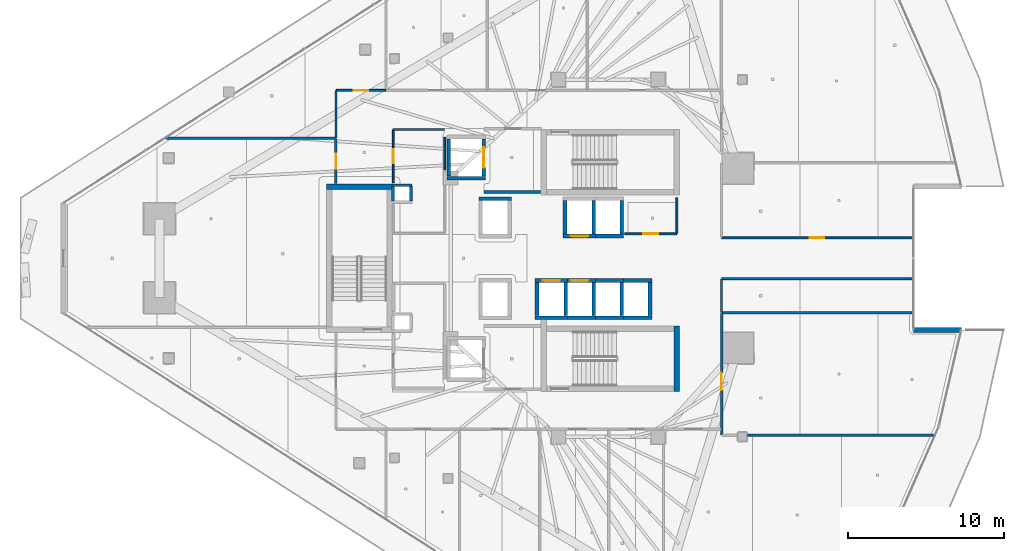
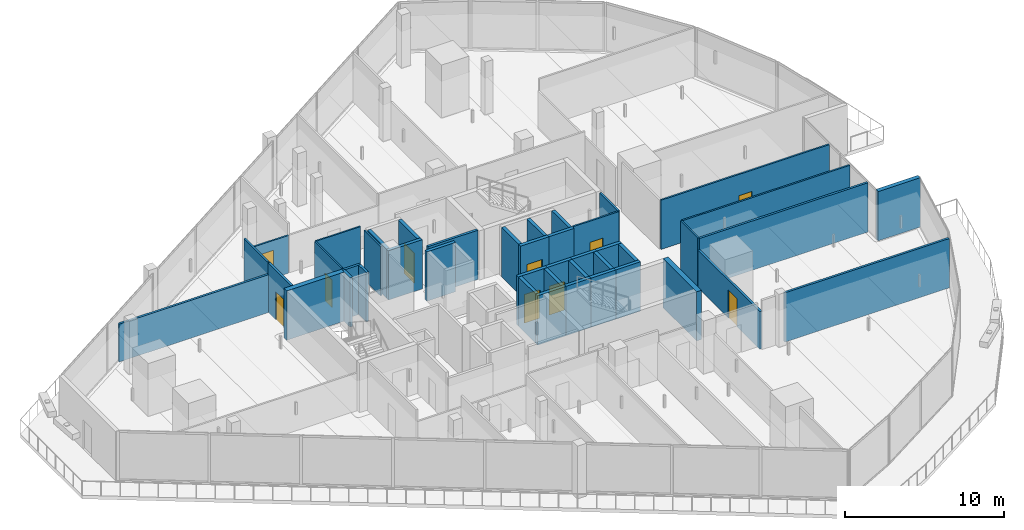
# One storey, part 26 of 37: 44 walls, 10 doors, 10 openings.
"""IFC4 building model written with IfcOpenShell, lengths in metres."""

from ifc_helpers import new_model, si_unit, direction, frame, frame_2d, origin, place, context, subcontext, project, spatial, rectangle, extrude, material, layer, layer_set, type_object, element, fill, save


model = new_model("IFC4")

# Units and contexts
model_context = context("Model", 3, precision=1e-05, world=origin(), true_north=direction((0.0, 1.0)))
body_context = subcontext(model_context, "Body", "Model", "MODEL_VIEW")
ifc_project = project(units=[si_unit("LENGTHUNIT", "METRE"), si_unit("AREAUNIT", "SQUARE_METRE"), si_unit("VOLUMEUNIT", "CUBIC_METRE"), si_unit("PLANEANGLEUNIT", "RADIAN"), si_unit("MASSUNIT", "GRAM", prefix="KILO")], contexts=[model_context])

# Site, building, storey
site_placement = place(None, origin())
site = spatial("IfcSite", under=ifc_project, at=site_placement, CompositionType="ELEMENT")
building_placement = place(site_placement, origin())
building = spatial("IfcBuilding", under=site, at=building_placement, Name="Qorvath Tower", CompositionType="ELEMENT")
storey_placement = place(building_placement, frame((0.0, 0.0, 184.800048828125)))
storey = spatial("IfcBuildingStorey", under=building, at=storey_placement, Name="L42", CompositionType="ELEMENT", Elevation=184.800048828125)

# Walls
ifc_material_1 = material(Name="Gypsum shaftliner on steel studs", Category="steel")
ifc_layer_1 = layer(ifc_material_1, 0.179931640625)
ifc_layer_set_1 = layer_set([ifc_layer_1], Name="FW-LOBBY")
wall_type_1 = type_object("IfcWallType", Name="FW-LOBBY", PredefinedType="PARTITIONING", material=ifc_layer_set_1)
wall_1_placement = place(storey_placement, frame((-34.260009765625, 4.675048828125, 0.0), z_axis=(0.0, 0.0, 1.0), x_axis=(1.0, 0.0, 0.0)))
element("IfcWall", 1, at=wall_1_placement, inside=storey, type_object=wall_type_1, Name="MEP Riser Shaft Enclosure Wall N-L42-N", PredefinedType="PARTITIONING", context=body_context, shape_type="SweptSolid", body=[
    extrude(rectangle(XDim=1.27001953125, YDim=0.179931640625, at=frame_2d((0.635009765625, 0.0))), origin(), (0.0, 0.0, 1.0), 3.780029296875),
])
for number, where, z_axis, x_axis, name in (
    (2, (-34.205078125, 3.659912109375, 0.0), (0.0, 0.0, 1.0), (0.0, 1.0, 0.0), "MEP Riser Shaft Enclosure Wall N-L42-W"),
    (3, (-33.044921875, 4.610107421875, 0.0), (0.0, 0.0, 1.0), (0.0, -1.0, 0.0), "MEP Riser Shaft Enclosure Wall N-L42-E"),
):
    element("IfcWall", number, at=place(storey_placement, frame(where, z_axis=z_axis, x_axis=x_axis)), inside=storey, type_object=wall_type_1, Name=name, PredefinedType="PARTITIONING", context=body_context, shape_type="SweptSolid", body=[
        extrude(rectangle(XDim=0.9501953125, YDim=0.179931640625, at=frame_2d((0.47509765625, 0.0))), origin(), (0.0, 0.0, 1.0), 3.780029296875),
    ])
wall_2_placement = place(storey_placement, frame((-28.35498046875, 4.25, 0.0), z_axis=(0.0, 0.0, 1.0), x_axis=(1.0, 0.0, 0.0)))
element("IfcWall", 4, at=wall_2_placement, inside=storey, type_object=wall_type_1, Name="Interior Partition IW-T1-L42-001", PredefinedType="PARTITIONING", context=body_context, shape_type="SweptSolid", body=[
    extrude(rectangle(XDim=3.6220703125, YDim=0.179931640625, at=frame_2d((1.81103515625, 0.0))), origin(), (0.0, 0.0, 1.0), 3.780029296875),
])
ifc_material_2 = material(Name="Double acoustic gypsum board on steel studs", Category="steel")
ifc_layer_2 = layer(ifc_material_2, 0.159912109375)
ifc_layer_set_2 = layer_set([ifc_layer_2], Name="IW-ACOUSTIC-160")
wall_type_2 = type_object("IfcWallType", Name="IW-ACOUSTIC-160", PredefinedType="PARTITIONING", material=ifc_layer_set_2)
wall_3_placement = place(storey_placement, frame((0.459716796875, -11.3583984375, 0.0), z_axis=(0.0, 0.0, 1.0), x_axis=(-0.999999924277, 0.000389160817, 0.0)))
element("IfcWall", 5, at=wall_3_placement, inside=storey, type_object=wall_type_2, Name="Interior Partition IW-T1-L42-038", PredefinedType="PARTITIONING", context=body_context, shape_type="SweptSolid", body=[
    extrude(rectangle(XDim=11.919677734375, YDim=0.159912109375, at=frame_2d((5.9599609375, 0.0))), origin(), (0.0, 0.0, 1.0), 3.780029296875),
])
wall_4_placement = place(storey_placement, frame((-0.918212890625, -3.509765625, 0.0), z_axis=(0.0, 0.0, 1.0), x_axis=(-1.0, 0.0, 0.0)))
element("IfcWall", 6, at=wall_4_placement, inside=storey, type_object=wall_type_2, Name="Interior Partition IW-T1-L42-041", PredefinedType="PARTITIONING", context=body_context, shape_type="SweptSolid", body=[
    extrude(rectangle(XDim=12.198974609375, YDim=0.159912109375, at=frame_2d((6.099609375, 0.0))), origin(), (0.0, 0.0, 1.0), 3.780029296875),
])

# Wall, opening, door
wall_5_placement = place(storey_placement, frame((-13.14208984375, -3.534912109375, 0.0), z_axis=(0.0, 0.0, 1.0), x_axis=(0.0, -1.0, 0.0)))
wall_5 = element("IfcWall", 7, at=wall_5_placement, inside=storey, type_object=wall_type_2, Name="Interior Partition IW-T1-L42-042", PredefinedType="PARTITIONING", context=body_context, shape_type="SweptSolid", body=[
    extrude(rectangle(XDim=7.785888671875, YDim=0.159912109375, at=frame_2d((3.89306640625, 0.0))), origin(), (0.0, 0.0, 1.0), 2.89990234375),
])
opening_1_placement = place(wall_5_placement, frame((3.820556640625, 0.0, 0.0)))
opening_1 = element("IfcOpeningElement", 8, at=opening_1_placement, cuts=wall_5, Name="Opening D-T1-L42-12", PredefinedType="OPENING", context=body_context, shape_type="SweptSolid", body=[
    extrude(rectangle(XDim=1.10009765625, YDim=2.14990234375, at=frame_2d((0.550048828125, 1.074951171875))), frame((0.0, 0.08984375, 0.0), z_axis=(0.0, -1.0, 0.0), x_axis=(1.0, 0.0, 0.0)), (0.0, 0.0, 1.0), 0.179931640625),
])
ifc_material_3 = material(Name="Anodised aluminium acoustic framed glass", Category="aluminium")
door_type_1 = type_object("IfcDoorType", Name="D-03", OperationType="NOTDEFINED", PredefinedType="DOOR", material=ifc_material_3)
door_1_placement = place(opening_1_placement, origin())
door_1 = element("IfcDoor", 9, at=door_1_placement, inside=storey, type_object=door_type_1, Name="L42-09 Enclosed Conference Suite Door D-T1-L42-12", OperationType="SINGLE_SWING_LEFT", OverallHeight=2.14990234375, OverallWidth=1.10009765625, PredefinedType="DOOR", context=body_context, shape_type="SweptSolid", body=[
    extrude(rectangle(XDim=1.10009765625, YDim=2.14990234375, at=frame_2d((0.550048828125, 1.074951171875))), frame((0.0, 0.02490234375, 0.0), z_axis=(0.0, -1.0, 0.0), x_axis=(1.0, 0.0, 0.0)), (0.0, 0.0, 1.0), 0.050048828125),
])
fill(opening_1, door_1)

wall_6_placement = place(storey_placement, frame((-37.85791015625, 4.783203125, 0.0), z_axis=(0.0, 0.0, 1.0), x_axis=(0.0, 1.0, 0.0)))
wall_6 = element("IfcWall", 10, at=wall_6_placement, inside=storey, type_object=wall_type_2, Name="Interior Partition IW-T1-L42-052", PredefinedType="PARTITIONING", context=body_context, shape_type="SweptSolid", body=[
    extrude(rectangle(XDim=2.8720703125, YDim=0.159912109375, at=frame_2d((1.43603515625, 0.0))), origin(), (0.0, 0.0, 1.0), 3.780029296875),
])
opening_2_placement = place(wall_6_placement, frame((0.9609375, 0.0, 0.0)))
opening_2 = element("IfcOpeningElement", 11, at=opening_2_placement, cuts=wall_6, Name="Opening D-T1-L42-16", PredefinedType="OPENING", context=body_context, shape_type="SweptSolid", body=[
    extrude(rectangle(XDim=0.949951171875, YDim=2.14990234375, at=frame_2d((0.47509765625, 1.074951171875))), frame((0.0, 0.08984375, 0.0), z_axis=(0.0, -1.0, 0.0), x_axis=(1.0, 0.0, 0.0)), (0.0, 0.0, 1.0), 0.179931640625),
])
ifc_material_4 = material(Name="Solid-core American white oak veneer", Category="wood")
door_type_2 = type_object("IfcDoorType", Name="D-01", OperationType="NOTDEFINED", PredefinedType="DOOR", material=ifc_material_4)
door_2_placement = place(opening_2_placement, origin())
door_2 = element("IfcDoor", 12, at=door_2_placement, inside=storey, type_object=door_type_2, Name="L42-13 Staff Wellness Studio Door D-T1-L42-16", OperationType="SINGLE_SWING_LEFT", OverallHeight=2.14990234375, OverallWidth=0.949951171875, PredefinedType="DOOR", context=body_context, shape_type="SweptSolid", body=[
    extrude(rectangle(XDim=0.949951171875, YDim=2.14990234375, at=frame_2d((0.47509765625, 1.074951171875))), frame((0.0, 0.02490234375, 0.0), z_axis=(0.0, -1.0, 0.0), x_axis=(1.0, 0.0, 0.0)), (0.0, 0.0, 1.0), 0.050048828125),
])
fill(opening_2, door_2)

# Wall
wall_7_placement = place(storey_placement, frame((-37.8828125, 7.68017578125, 0.0), z_axis=(0.0, 0.0, 1.0), x_axis=(-1.0, 0.0, 0.0)))
element("IfcWall", 13, at=wall_7_placement, inside=storey, type_object=wall_type_2, Name="Interior Partition IW-T1-L42-053", PredefinedType="PARTITIONING", context=body_context, shape_type="SweptSolid", body=[
    extrude(rectangle(XDim=10.886474609375, YDim=0.159912109375, at=frame_2d((5.443359375, 0.0))), origin(), (0.0, 0.0, 1.0), 2.89990234375),
])

# Wall, opening, door
ifc_material_5 = material(Name="Gypsum board on metal studs with mineral wool", Category="gypsum")
ifc_layer_3 = layer(ifc_material_5, 0.125)
ifc_layer_set_3 = layer_set([ifc_layer_3], Name="IW-PART-125")
wall_type_3 = type_object("IfcWallType", Name="IW-PART-125", PredefinedType="PARTITIONING", material=ifc_layer_set_3)
wall_8_placement = place(storey_placement, frame((-19.333740234375, 1.56005859375, 0.0), z_axis=(0.0, 0.0, 1.0), x_axis=(1.0, 0.0, 0.0)))
wall_8 = element("IfcWall", 14, at=wall_8_placement, inside=storey, type_object=wall_type_3, Name="Interior Partition IW-T1-L42-011", PredefinedType="PARTITIONING", context=body_context, shape_type="SweptSolid", body=[
    extrude(rectangle(XDim=3.308837890625, YDim=0.125, at=frame_2d((1.654296875, 0.0))), origin(), (0.0, 0.0, 1.0), 3.780029296875),
])
opening_3_placement = place(wall_8_placement, frame((1.179443359375, 0.0, 0.0)))
opening_3 = element("IfcOpeningElement", 15, at=opening_3_placement, cuts=wall_8, Name="Opening D-T1-L42-02", PredefinedType="OPENING", context=body_context, shape_type="SweptSolid", body=[
    extrude(rectangle(XDim=0.949951171875, YDim=2.14990234375, at=frame_2d((0.47509765625, 1.074951171875))), frame((0.0, 0.072509765625, 0.0), z_axis=(0.0, -1.0, 0.0), x_axis=(1.0, 0.0, 0.0)), (0.0, 0.0, 1.0), 0.14501953125),
])
door_3_placement = place(opening_3_placement, origin())
door_3 = element("IfcDoor", 16, at=door_3_placement, inside=storey, type_object=door_type_2, Name="L42-RCN North Staff Refreshment Pantry Door D-T1-L42-02", OperationType="SINGLE_SWING_LEFT", OverallHeight=2.14990234375, OverallWidth=0.949951171875, PredefinedType="DOOR", context=body_context, shape_type="SweptSolid", body=[
    extrude(rectangle(XDim=0.949951171875, YDim=2.14990234375, at=frame_2d((0.47509765625, 1.074951171875))), frame((0.0, 0.02490234375, 0.0), z_axis=(0.0, -1.0, 0.0), x_axis=(1.0, 0.0, 0.0)), (0.0, 0.0, 1.0), 0.050048828125),
])
fill(opening_3, door_3)

# Wall
wall_9_placement = place(storey_placement, frame((-16.0, 1.585205078125, 0.0), z_axis=(0.0, 0.0, 1.0), x_axis=(0.0, 1.0, 0.0)))
element("IfcWall", 17, at=wall_9_placement, inside=storey, type_object=wall_type_3, Name="Interior Partition IW-T1-L42-012", PredefinedType="PARTITIONING", context=body_context, shape_type="SweptSolid", body=[
    extrude(rectangle(XDim=2.30224609375, YDim=0.125, at=frame_2d((1.151123046875, 0.0))), origin(), (0.0, 0.0, 1.0), 3.780029296875),
])

# Wall, opening, door
wall_10_placement = place(storey_placement, frame((-13.1171875, 1.30810546875, 0.0), z_axis=(0.0, 0.0, 1.0), x_axis=(1.0, 0.0, 0.0)))
wall_10 = element("IfcWall", 18, at=wall_10_placement, inside=storey, type_object=wall_type_3, Name="Interior Partition IW-T1-L42-045", PredefinedType="PARTITIONING", context=body_context, shape_type="SweptSolid", body=[
    extrude(rectangle(XDim=12.198974609375, YDim=0.125, at=frame_2d((6.099609375, 0.0))), origin(), (0.0, 0.0, 1.0), 3.780029296875),
])
opening_4_placement = place(wall_10_placement, frame((5.62451171875, 0.0, 0.0)))
opening_4 = element("IfcOpeningElement", 19, at=opening_4_placement, cuts=wall_10, Name="Opening D-T1-L42-13", PredefinedType="OPENING", context=body_context, shape_type="SweptSolid", body=[
    extrude(rectangle(XDim=0.949951171875, YDim=2.14990234375, at=frame_2d((0.47509765625, 1.074951171875))), frame((0.0, 0.072509765625, 0.0), z_axis=(0.0, -1.0, 0.0), x_axis=(1.0, 0.0, 0.0)), (0.0, 0.0, 1.0), 0.14501953125),
])
door_4_placement = place(opening_4_placement, origin())
door_4 = element("IfcDoor", 20, at=door_4_placement, inside=storey, type_object=door_type_2, Name="L42-10 Focus Collaboration Pod Door D-T1-L42-13", OperationType="SINGLE_SWING_RIGHT", OverallHeight=2.14990234375, OverallWidth=0.949951171875, PredefinedType="DOOR", context=body_context, shape_type="SweptSolid", body=[
    extrude(rectangle(XDim=0.949951171875, YDim=2.14990234375, at=frame_2d((0.47509765625, 1.074951171875))), frame((0.0, 0.02490234375, 0.0), z_axis=(0.0, -1.0, 0.0), x_axis=(1.0, 0.0, 0.0)), (0.0, 0.0, 1.0), 0.050048828125),
])
fill(opening_4, door_4)

# Walls
wall_11_placement = place(storey_placement, frame((-13.1171875, -1.30810546875, 0.0), z_axis=(0.0, 0.0, 1.0), x_axis=(1.0, 0.0, 0.0)))
element("IfcWall", 21, at=wall_11_placement, inside=storey, type_object=wall_type_3, Name="Interior Partition IW-T1-L42-046", PredefinedType="PARTITIONING", context=body_context, shape_type="SweptSolid", body=[
    extrude(rectangle(XDim=12.198974609375, YDim=0.125, at=frame_2d((6.099609375, 0.0))), origin(), (0.0, 0.0, 1.0), 3.780029296875),
])
wall_12_placement = place(storey_placement, frame((-13.14208984375, -1.3330078125, 0.0), z_axis=(0.0, 0.0, 1.0), x_axis=(0.0, -1.0, 0.0)))
element("IfcWall", 22, at=wall_12_placement, inside=storey, type_object=wall_type_3, Name="Interior Partition IW-T1-L42-047", PredefinedType="PARTITIONING", context=body_context, shape_type="SweptSolid", body=[
    extrude(rectangle(XDim=2.14404296875, YDim=0.125, at=frame_2d((1.072021484375, 0.0))), origin(), (0.0, 0.0, 1.0), 3.780029296875),
])
wall_13_placement = place(storey_placement, frame((-37.85791015625, 7.713134765625, 0.0), z_axis=(0.0, 0.0, 1.0), x_axis=(0.0, 1.0, 0.0)))
element("IfcWall", 23, at=wall_13_placement, inside=storey, type_object=wall_type_3, Name="Interior Partition IW-T1-L42-054", PredefinedType="PARTITIONING", context=body_context, shape_type="SweptSolid", body=[
    extrude(rectangle(XDim=3.02001953125, YDim=0.125, at=frame_2d((1.510009765625, 0.0))), origin(), (0.0, 0.0, 1.0), 3.780029296875),
])

# Wall, opening, door
wall_14_placement = place(storey_placement, frame((-37.8330078125, 10.758056640625, 0.0), z_axis=(0.0, 0.0, 1.0), x_axis=(1.0, 0.0, 0.0)))
wall_14 = element("IfcWall", 24, at=wall_14_placement, inside=storey, type_object=wall_type_3, Name="Interior Partition IW-T1-L42-055", PredefinedType="PARTITIONING", context=body_context, shape_type="SweptSolid", body=[
    extrude(rectangle(XDim=3.14990234375, YDim=0.125, at=frame_2d((1.574951171875, 0.0))), origin(), (0.0, 0.0, 1.0), 2.89990234375),
])
opening_5_placement = place(wall_14_placement, frame((1.099853515625, 0.0, 0.0)))
opening_5 = element("IfcOpeningElement", 25, at=opening_5_placement, cuts=wall_14, Name="Opening D-T1-L42-17", PredefinedType="OPENING", context=body_context, shape_type="SweptSolid", body=[
    extrude(rectangle(XDim=0.949951171875, YDim=2.14990234375, at=frame_2d((0.47509765625, 1.074951171875))), frame((0.0, 0.072509765625, 0.0), z_axis=(0.0, -1.0, 0.0), x_axis=(1.0, 0.0, 0.0)), (0.0, 0.0, 1.0), 0.14501953125),
])
door_5_placement = place(opening_5_placement, origin())
door_5 = element("IfcDoor", 26, at=door_5_placement, inside=storey, type_object=door_type_2, Name="L42-14 Design Pin-Up Atelier Door D-T1-L42-17", OperationType="SINGLE_SWING_RIGHT", OverallHeight=2.14990234375, OverallWidth=0.949951171875, PredefinedType="DOOR", context=body_context, shape_type="SweptSolid", body=[
    extrude(rectangle(XDim=0.949951171875, YDim=2.14990234375, at=frame_2d((0.47509765625, 1.074951171875))), frame((0.0, 0.02490234375, 0.0), z_axis=(0.0, -1.0, 0.0), x_axis=(1.0, 0.0, 0.0)), (0.0, 0.0, 1.0), 0.050048828125),
])
fill(opening_5, door_5)

# Walls
ifc_material_6 = material(Name="Moisture-resistant cement board on metal studs", Category="gypsum")
ifc_layer_4 = layer(ifc_material_6, 0.110107421875)
ifc_layer_set_4 = layer_set([ifc_layer_4], Name="IW-WC-110")
wall_type_4 = type_object("IfcWallType", Name="IW-WC-110", PredefinedType="PARTITIONING", material=ifc_layer_set_4)
wall_15_placement = place(storey_placement, frame((-30.8798828125, 5.6650390625, 0.0), z_axis=(0.0, 0.0, 1.0), x_axis=(0.0, 1.0, 0.0)))
element("IfcWall", 27, at=wall_15_placement, inside=storey, type_object=wall_type_4, Name="Interior Partition IW-T1-L42-007", PredefinedType="PARTITIONING", context=body_context, shape_type="SweptSolid", body=[
    extrude(rectangle(XDim=2.077880859375, YDim=0.110107421875, at=frame_2d((1.0390625, 0.0))), origin(), (0.0, 0.0, 1.0), 3.780029296875),
])
wall_16_placement = place(storey_placement, frame((-30.90478515625, 8.25, 0.0), z_axis=(0.0, 0.0, 1.0), x_axis=(-1.0, 0.0, 0.0)))
element("IfcWall", 28, at=wall_16_placement, inside=storey, type_object=wall_type_4, Name="Interior Partition IW-T1-L42-008", PredefinedType="PARTITIONING", context=body_context, shape_type="SweptSolid", body=[
    extrude(rectangle(XDim=3.25, YDim=0.110107421875, at=frame_2d((1.625, 0.0))), origin(), (0.0, 0.0, 1.0), 3.780029296875),
])

# Wall, opening, door
wall_17_placement = place(storey_placement, frame((-34.179931640625, 8.22509765625, 0.0), z_axis=(0.0, 0.0, 1.0), x_axis=(0.0, -1.0, 0.0)))
wall_17 = element("IfcWall", 29, at=wall_17_placement, inside=storey, type_object=wall_type_4, Name="Interior Partition IW-T1-L42-009", PredefinedType="PARTITIONING", context=body_context, shape_type="SweptSolid", body=[
    extrude(rectangle(XDim=3.385009765625, YDim=0.110107421875, at=frame_2d((1.6923828125, 0.0))), origin(), (0.0, 0.0, 1.0), 3.780029296875),
])
opening_6_placement = place(wall_17_placement, frame((1.25244140625, 0.0, 0.0)))
opening_6 = element("IfcOpeningElement", 30, at=opening_6_placement, cuts=wall_17, Name="Opening D-T1-L42-01", PredefinedType="OPENING", context=body_context, shape_type="SweptSolid", body=[
    extrude(rectangle(XDim=0.8798828125, YDim=2.10009765625, at=frame_2d((0.43994140625, 1.050048828125))), frame((0.0, 0.06494140625, 0.0), z_axis=(0.0, -1.0, 0.0), x_axis=(1.0, 0.0, 0.0)), (0.0, 0.0, 1.0), 0.130126953125),
])
ifc_material_7 = material(Name="Solid-core oak with acoustic drop seal", Category="wood")
door_type_3 = type_object("IfcDoorType", Name="D-02", OperationType="NOTDEFINED", PredefinedType="DOOR", material=ifc_material_7)
door_6_placement = place(opening_6_placement, origin())
door_6 = element("IfcDoor", 31, at=door_6_placement, inside=storey, type_object=door_type_3, Name="Accessible WC North L42 Door D-T1-L42-01", OperationType="SINGLE_SWING_RIGHT", OverallHeight=2.10009765625, OverallWidth=0.8798828125, PredefinedType="DOOR", context=body_context, shape_type="SweptSolid", body=[
    extrude(rectangle(XDim=0.8798828125, YDim=2.10009765625, at=frame_2d((0.43994140625, 1.050048828125))), frame((0.0, 0.02490234375, 0.0), z_axis=(0.0, -1.0, 0.0), x_axis=(1.0, 0.0, 0.0)), (0.0, 0.0, 1.0), 0.050048828125),
])
fill(opening_6, door_6)

# Walls
ifc_material_8 = material(Name="Concrete C60/75", Category="concrete")
ifc_layer_5 = layer(ifc_material_8, 0.260009765625)
ifc_layer_set_5 = layer_set([ifc_layer_5], Name="SW-SHAFT")
wall_type_5 = type_object("IfcWallType", Name="SW-SHAFT", PredefinedType="SHEAR", material=ifc_layer_set_5)
wall_18_placement = place(storey_placement, frame((-28.260009765625, 5.1298828125, 0.0), z_axis=(0.0, 0.0, 1.0), x_axis=(-1.0, 0.0, 0.0)))
element("IfcWall", 32, at=wall_18_placement, inside=storey, type_object=wall_type_5, Name="Hoistway Wall FSAE-1 L42 S", PredefinedType="SHEAR", context=body_context, shape_type="SweptSolid", body=[
    extrude(rectangle(XDim=2.47998046875, YDim=0.239990234375, at=frame_2d((1.239990234375, 0.0))), origin(), (0.0, 0.0, 1.0), 3.780029296875),
])
wall_19_placement = place(storey_placement, frame((-30.6201171875, 5.261962890625, 0.0), z_axis=(0.0, 0.0, 1.0), x_axis=(0.0, 1.0, 0.0)))
element("IfcWall", 33, at=wall_19_placement, inside=storey, type_object=wall_type_5, Name="Hoistway Wall FSAE-1 L42 W", PredefinedType="SHEAR", context=body_context, shape_type="SweptSolid", body=[
    extrude(rectangle(XDim=2.3759765625, YDim=0.239990234375, at=frame_2d((1.18798828125, 0.0))), origin(), (0.0, 0.0, 1.0), 3.780029296875),
])

# Wall, opening, door
wall_20_placement = place(storey_placement, frame((-28.3798828125, 7.637939453125, 0.0), z_axis=(0.0, 0.0, 1.0), x_axis=(0.0, -1.0, 0.0)))
wall_20 = element("IfcWall", 34, at=wall_20_placement, inside=storey, type_object=wall_type_5, Name="Hoistway Wall FSAE-1 L42 E", PredefinedType="SHEAR", context=body_context, shape_type="SweptSolid", body=[
    extrude(rectangle(XDim=2.3759765625, YDim=0.239990234375, at=frame_2d((1.18798828125, 0.0))), origin(), (0.0, 0.0, 1.0), 3.780029296875),
])
opening_7_placement = place(wall_20_placement, frame((0.537841796875, 0.0, 0.0)))
opening_7 = element("IfcOpeningElement", 35, at=opening_7_placement, cuts=wall_20, Name="Opening LD-FSAE-1-L42", PredefinedType="OPENING", context=body_context, shape_type="SweptSolid", body=[
    extrude(rectangle(XDim=1.300048828125, YDim=2.300048828125, at=frame_2d((0.64990234375, 1.14990234375))), frame((0.0, 0.1298828125, 0.0), z_axis=(0.0, -1.0, 0.0), x_axis=(1.0, 0.0, 0.0)), (0.0, 0.0, 1.0), 0.260009765625),
])
ifc_material_9 = material(Name="Brushed stainless steel AISI 316", Category="steel")
door_type_4 = type_object("IfcDoorType", Name="LD-02", OperationType="NOTDEFINED", PredefinedType="DOOR", material=ifc_material_9)
door_7_placement = place(opening_7_placement, origin())
door_7 = element("IfcDoor", 36, at=door_7_placement, inside=storey, type_object=door_type_4, Name="Elevator Landing Sliding Door LD-FSAE-1-L42", OperationType="DOUBLE_DOOR_SLIDING", OverallHeight=2.300048828125, OverallWidth=1.300048828125, PredefinedType="DOOR", context=body_context, shape_type="SweptSolid", body=[
    extrude(rectangle(XDim=1.300048828125, YDim=2.300048828125, at=frame_2d((0.64990234375, 1.14990234375))), frame((0.0, 0.02490234375, 0.0), z_axis=(0.0, -1.0, 0.0), x_axis=(1.0, 0.0, 0.0)), (0.0, 0.0, 1.0), 0.050048828125),
])
fill(opening_7, door_7)

# Wall
wall_21_placement = place(storey_placement, frame((-28.68994140625, 3.820068359375, 0.0), z_axis=(0.0, 0.0, 1.0), x_axis=(1.0, 0.0, 0.0)))
element("IfcWall", 37, at=wall_21_placement, inside=storey, type_object=wall_type_5, Name="Hoistway Wall PS-1 L42 N", PredefinedType="SHEAR", context=body_context, shape_type="SweptSolid", body=[
    extrude(rectangle(XDim=2.079833984375, YDim=0.239990234375, at=frame_2d((1.0400390625, 0.0))), origin(), (0.0, 0.0, 1.0), 3.780029296875),
])

# Wall, opening, door
wall_22_placement = place(storey_placement, frame((-21.2099609375, 1.429931640625, 0.0), z_axis=(0.0, 0.0, 1.0), x_axis=(-1.0, 0.0, 0.0)))
wall_22 = element("IfcWall", 38, at=wall_22_placement, inside=storey, type_object=wall_type_5, Name="Hoistway Wall PU-1 L42 S", PredefinedType="SHEAR", context=body_context, shape_type="SweptSolid", body=[
    extrude(rectangle(XDim=2.080078125, YDim=0.239990234375, at=frame_2d((1.0400390625, 0.0))), origin(), (0.0, 0.0, 1.0), 3.780029296875),
])
opening_8_placement = place(wall_22_placement, frame((0.489990234375, 0.0, 0.0)))
opening_8 = element("IfcOpeningElement", 39, at=opening_8_placement, cuts=wall_22, Name="Opening LD-PU-1-L42", PredefinedType="OPENING", context=body_context, shape_type="SweptSolid", body=[
    extrude(rectangle(XDim=1.10009765625, YDim=2.199951171875, at=frame_2d((0.550048828125, 1.10009765625))), frame((0.0, 0.1298828125, 0.0), z_axis=(0.0, -1.0, 0.0), x_axis=(1.0, 0.0, 0.0)), (0.0, 0.0, 1.0), 0.260009765625),
])
ifc_material_10 = material(Name="Brushed stainless steel AISI 316", Category="steel")
door_type_5 = type_object("IfcDoorType", Name="LD-01", OperationType="NOTDEFINED", PredefinedType="DOOR", material=ifc_material_10)
door_8_placement = place(opening_8_placement, origin())
door_8 = element("IfcDoor", 40, at=door_8_placement, inside=storey, type_object=door_type_5, Name="Elevator Landing Sliding Door LD-PU-1-L42", OperationType="DOUBLE_DOOR_SLIDING", OverallHeight=2.199951171875, OverallWidth=1.10009765625, PredefinedType="DOOR", context=body_context, shape_type="SweptSolid", body=[
    extrude(rectangle(XDim=1.10009765625, YDim=2.199951171875, at=frame_2d((0.550048828125, 1.10009765625))), frame((0.0, 0.02490234375, 0.0), z_axis=(0.0, -1.0, 0.0), x_axis=(1.0, 0.0, 0.0)), (0.0, 0.0, 1.0), 0.050048828125),
])
fill(opening_8, door_8)

# Walls
for number, where, z_axis, x_axis, name in (
    (41, (-23.169921875, 1.56201171875, 0.0), (0.0, 0.0, 1.0), (0.0, 1.0, 0.0), "Hoistway Wall PU-1 L42 W"),
    (42, (-21.330078125, 3.68798828125, 0.0), (0.0, 0.0, 1.0), (0.0, -1.0, 0.0), "Hoistway Wall PU-1 L42 E"),
):
    element("IfcWall", number, at=place(storey_placement, frame(where, z_axis=z_axis, x_axis=x_axis)), inside=storey, type_object=wall_type_5, Name=name, PredefinedType="SHEAR", context=body_context, shape_type="SweptSolid", body=[
        extrude(rectangle(XDim=2.1259765625, YDim=0.239990234375, at=frame_2d((1.06298828125, 0.0))), origin(), (0.0, 0.0, 1.0), 3.780029296875),
    ])
wall_23_placement = place(storey_placement, frame((-19.409912109375, 1.429931640625, 0.0), z_axis=(0.0, 0.0, 1.0), x_axis=(-1.0, 0.0, 0.0)))
element("IfcWall", 43, at=wall_23_placement, inside=storey, type_object=wall_type_5, Name="Hoistway Wall PM-1 L42 S", PredefinedType="SHEAR", context=body_context, shape_type="SweptSolid", body=[
    extrude(rectangle(XDim=1.800048828125, YDim=0.239990234375, at=frame_2d((0.89990234375, 0.0))), origin(), (0.0, 0.0, 1.0), 3.780029296875),
])
wall_24_placement = place(storey_placement, frame((-19.530029296875, 3.68798828125, 0.0), z_axis=(0.0, 0.0, 1.0), x_axis=(0.0, -1.0, 0.0)))
element("IfcWall", 44, at=wall_24_placement, inside=storey, type_object=wall_type_5, Name="Hoistway Wall PM-1 L42 E", PredefinedType="SHEAR", context=body_context, shape_type="SweptSolid", body=[
    extrude(rectangle(XDim=2.1259765625, YDim=0.239990234375, at=frame_2d((1.06298828125, 0.0))), origin(), (0.0, 0.0, 1.0), 3.780029296875),
])
wall_25_placement = place(storey_placement, frame((-23.010009765625, -3.820068359375, 0.0), z_axis=(0.0, 0.0, 1.0), x_axis=(-1.0, 0.0, 0.0)))
element("IfcWall", 45, at=wall_25_placement, inside=storey, type_object=wall_type_5, Name="Hoistway Wall PU-2 L42 S", PredefinedType="SHEAR", context=body_context, shape_type="SweptSolid", body=[
    extrude(rectangle(XDim=2.080078125, YDim=0.239990234375, at=frame_2d((1.0400390625, 0.0))), origin(), (0.0, 0.0, 1.0), 3.780029296875),
])

# Wall, opening, door
wall_26_placement = place(storey_placement, frame((-25.090087890625, -1.429931640625, 0.0), z_axis=(0.0, 0.0, 1.0), x_axis=(1.0, 0.0, 0.0)))
wall_26 = element("IfcWall", 46, at=wall_26_placement, inside=storey, type_object=wall_type_5, Name="Hoistway Wall PU-2 L42 N", PredefinedType="SHEAR", context=body_context, shape_type="SweptSolid", body=[
    extrude(rectangle(XDim=2.080078125, YDim=0.239990234375, at=frame_2d((1.0400390625, 0.0))), origin(), (0.0, 0.0, 1.0), 3.780029296875),
])
opening_9_placement = place(wall_26_placement, frame((0.489990234375, 0.0, 0.0)))
opening_9 = element("IfcOpeningElement", 47, at=opening_9_placement, cuts=wall_26, Name="Opening LD-PU-2-L42", PredefinedType="OPENING", context=body_context, shape_type="SweptSolid", body=[
    extrude(rectangle(XDim=1.10009765625, YDim=2.199951171875, at=frame_2d((0.550048828125, 1.10009765625))), frame((0.0, 0.1298828125, 0.0), z_axis=(0.0, -1.0, 0.0), x_axis=(1.0, 0.0, 0.0)), (0.0, 0.0, 1.0), 0.260009765625),
])
door_9_placement = place(opening_9_placement, origin())
door_9 = element("IfcDoor", 48, at=door_9_placement, inside=storey, type_object=door_type_5, Name="Elevator Landing Sliding Door LD-PU-2-L42", OperationType="DOUBLE_DOOR_SLIDING", OverallHeight=2.199951171875, OverallWidth=1.10009765625, PredefinedType="DOOR", context=body_context, shape_type="SweptSolid", body=[
    extrude(rectangle(XDim=1.10009765625, YDim=2.199951171875, at=frame_2d((0.550048828125, 1.10009765625))), frame((0.0, 0.02490234375, 0.0), z_axis=(0.0, -1.0, 0.0), x_axis=(1.0, 0.0, 0.0)), (0.0, 0.0, 1.0), 0.050048828125),
])
fill(opening_9, door_9)

# Walls
for number, where, z_axis, x_axis, name in (
    (49, (-24.969970703125, -3.68798828125, 0.0), (0.0, 0.0, 1.0), (0.0, 1.0, 0.0), "Hoistway Wall PU-2 L42 W"),
    (50, (-23.1298828125, -1.56201171875, 0.0), (0.0, 0.0, 1.0), (0.0, -1.0, 0.0), "Hoistway Wall PU-2 L42 E"),
):
    element("IfcWall", number, at=place(storey_placement, frame(where, z_axis=z_axis, x_axis=x_axis)), inside=storey, type_object=wall_type_5, Name=name, PredefinedType="SHEAR", context=body_context, shape_type="SweptSolid", body=[
        extrude(rectangle(XDim=2.1259765625, YDim=0.239990234375, at=frame_2d((1.06298828125, 0.0))), origin(), (0.0, 0.0, 1.0), 3.780029296875),
    ])
wall_27_placement = place(storey_placement, frame((-21.2099609375, -3.820068359375, 0.0), z_axis=(0.0, 0.0, 1.0), x_axis=(-1.0, 0.0, 0.0)))
element("IfcWall", 51, at=wall_27_placement, inside=storey, type_object=wall_type_5, Name="Hoistway Wall PU-3 L42 S", PredefinedType="SHEAR", context=body_context, shape_type="SweptSolid", body=[
    extrude(rectangle(XDim=1.800048828125, YDim=0.239990234375, at=frame_2d((0.89990234375, 0.0))), origin(), (0.0, 0.0, 1.0), 3.780029296875),
])

# Wall, opening, door
wall_28_placement = place(storey_placement, frame((-23.010009765625, -1.429931640625, 0.0), z_axis=(0.0, 0.0, 1.0), x_axis=(1.0, 0.0, 0.0)))
wall_28 = element("IfcWall", 52, at=wall_28_placement, inside=storey, type_object=wall_type_5, Name="Hoistway Wall PU-3 L42 N", PredefinedType="SHEAR", context=body_context, shape_type="SweptSolid", body=[
    extrude(rectangle(XDim=1.800048828125, YDim=0.239990234375, at=frame_2d((0.89990234375, 0.0))), origin(), (0.0, 0.0, 1.0), 3.780029296875),
])
opening_10_placement = place(wall_28_placement, frame((0.2099609375, 0.0, 0.0)))
opening_10 = element("IfcOpeningElement", 53, at=opening_10_placement, cuts=wall_28, Name="Opening LD-PU-3-L42", PredefinedType="OPENING", context=body_context, shape_type="SweptSolid", body=[
    extrude(rectangle(XDim=1.10009765625, YDim=2.199951171875, at=frame_2d((0.550048828125, 1.10009765625))), frame((0.0, 0.1298828125, 0.0), z_axis=(0.0, -1.0, 0.0), x_axis=(1.0, 0.0, 0.0)), (0.0, 0.0, 1.0), 0.260009765625),
])
door_10_placement = place(opening_10_placement, origin())
door_10 = element("IfcDoor", 54, at=door_10_placement, inside=storey, type_object=door_type_5, Name="Elevator Landing Sliding Door LD-PU-3-L42", OperationType="DOUBLE_DOOR_SLIDING", OverallHeight=2.199951171875, OverallWidth=1.10009765625, PredefinedType="DOOR", context=body_context, shape_type="SweptSolid", body=[
    extrude(rectangle(XDim=1.10009765625, YDim=2.199951171875, at=frame_2d((0.550048828125, 1.10009765625))), frame((0.0, 0.02490234375, 0.0), z_axis=(0.0, -1.0, 0.0), x_axis=(1.0, 0.0, 0.0)), (0.0, 0.0, 1.0), 0.050048828125),
])
fill(opening_10, door_10)

# Walls
wall_29_placement = place(storey_placement, frame((-21.330078125, -1.56201171875, 0.0), z_axis=(0.0, 0.0, 1.0), x_axis=(0.0, -1.0, 0.0)))
element("IfcWall", 55, at=wall_29_placement, inside=storey, type_object=wall_type_5, Name="Hoistway Wall PU-3 L42 E", PredefinedType="SHEAR", context=body_context, shape_type="SweptSolid", body=[
    extrude(rectangle(XDim=2.1259765625, YDim=0.239990234375, at=frame_2d((1.06298828125, 0.0))), origin(), (0.0, 0.0, 1.0), 3.780029296875),
])
for number, where, z_axis, x_axis, name in (
    (56, (-19.409912109375, -3.820068359375, 0.0), (0.0, 0.0, 1.0), (-1.0, 0.0, 0.0), "Hoistway Wall PM-2 L42 S"),
    (57, (-21.2099609375, -1.429931640625, 0.0), (0.0, 0.0, 1.0), (1.0, 0.0, 0.0), "Hoistway Wall PM-2 L42 N"),
):
    element("IfcWall", number, at=place(storey_placement, frame(where, z_axis=z_axis, x_axis=x_axis)), inside=storey, type_object=wall_type_5, Name=name, PredefinedType="SHEAR", context=body_context, shape_type="SweptSolid", body=[
        extrude(rectangle(XDim=1.800048828125, YDim=0.239990234375, at=frame_2d((0.89990234375, 0.0))), origin(), (0.0, 0.0, 1.0), 3.780029296875),
    ])
wall_30_placement = place(storey_placement, frame((-19.530029296875, -1.56201171875, 0.0), z_axis=(0.0, 0.0, 1.0), x_axis=(0.0, -1.0, 0.0)))
element("IfcWall", 58, at=wall_30_placement, inside=storey, type_object=wall_type_5, Name="Hoistway Wall PM-2 L42 E", PredefinedType="SHEAR", context=body_context, shape_type="SweptSolid", body=[
    extrude(rectangle(XDim=2.1259765625, YDim=0.239990234375, at=frame_2d((1.06298828125, 0.0))), origin(), (0.0, 0.0, 1.0), 3.780029296875),
])
for number, where, z_axis, x_axis, name in (
    (59, (-17.610107421875, -3.820068359375, 0.0), (0.0, 0.0, 1.0), (-1.0, 0.0, 0.0), "Hoistway Wall PM-3 L42 S"),
    (60, (-19.409912109375, -1.429931640625, 0.0), (0.0, 0.0, 1.0), (1.0, 0.0, 0.0), "Hoistway Wall PM-3 L42 N"),
):
    element("IfcWall", number, at=place(storey_placement, frame(where, z_axis=z_axis, x_axis=x_axis)), inside=storey, type_object=wall_type_5, Name=name, PredefinedType="SHEAR", context=body_context, shape_type="SweptSolid", body=[
        extrude(rectangle(XDim=1.7998046875, YDim=0.239990234375, at=frame_2d((0.89990234375, 0.0))), origin(), (0.0, 0.0, 1.0), 3.780029296875),
    ])
wall_31_placement = place(storey_placement, frame((-17.72998046875, -1.56201171875, 0.0), z_axis=(0.0, 0.0, 1.0), x_axis=(0.0, -1.0, 0.0)))
element("IfcWall", 61, at=wall_31_placement, inside=storey, type_object=wall_type_5, Name="Hoistway Wall PM-3 L42 E", PredefinedType="SHEAR", context=body_context, shape_type="SweptSolid", body=[
    extrude(rectangle(XDim=2.1259765625, YDim=0.239990234375, at=frame_2d((1.06298828125, 0.0))), origin(), (0.0, 0.0, 1.0), 3.780029296875),
])
ifc_material_11 = material(Name="Concrete C60/75", Category="concrete")
ifc_layer_6 = layer(ifc_material_11, 0.35009765625)
ifc_layer_set_6 = layer_set([ifc_layer_6], Name="SW-STAIR")
wall_type_6 = type_object("IfcWallType", Name="SW-STAIR", PredefinedType="SHEAR", material=ifc_layer_set_6)
for number, where, z_axis, x_axis, name in (
    (62, (-16.02490234375, -8.550048828125, 0.0), (0.0, 0.0, 1.0), (0.0, 1.0, 0.0), "Stair TS2 Shear Wall L42 FAR"),
    (63, (-34.25, 4.574951171875, 0.0), (0.0, 0.0, 1.0), (-1.0, 0.0, 0.0), "Stair TS3 Shear Wall L42 FAR"),
):
    element("IfcWall", number, at=place(storey_placement, frame(where, z_axis=z_axis, x_axis=x_axis)), inside=storey, type_object=wall_type_6, Name=name, PredefinedType="SHEAR", context=body_context, shape_type="SweptSolid", body=[
        extrude(rectangle(XDim=4.2099609375, YDim=0.35009765625, at=frame_2d((2.10498046875, 0.0))), origin(), (0.0, 0.0, 1.0), 3.780029296875),
    ])
ifc_material_12 = material(Name="Precast concrete C45/55", Category="concrete")
ifc_layer_7 = layer(ifc_material_12, 0.300048828125)
ifc_layer_set_7 = layer_set([ifc_layer_7], Name="WL-EW-LOG-300")
wall_type_7 = type_object("IfcWallType", Name="WL-EW-LOG-300", PredefinedType="SOLIDWALL", material=ifc_layer_set_7)
wall_32_placement = place(storey_placement, frame((2.22900390625, -4.600830078125, 0.0), z_axis=(0.0, 0.0, 1.0), x_axis=(-1.0, 0.0, 0.0)))
element("IfcWall", 64, at=wall_32_placement, inside=storey, type_object=wall_type_7, Name="Tower Precast Loggia Wall L42-8.1", PredefinedType="SOLIDWALL", context=body_context, shape_type="SweptSolid", body=[
    extrude(rectangle(XDim=3.0673828125, YDim=0.300048828125, at=frame_2d((1.53369140625, 0.0))), origin(), (0.0, 0.0, 1.0), 3.780029296875),
])

save(model, "model.ifc")
